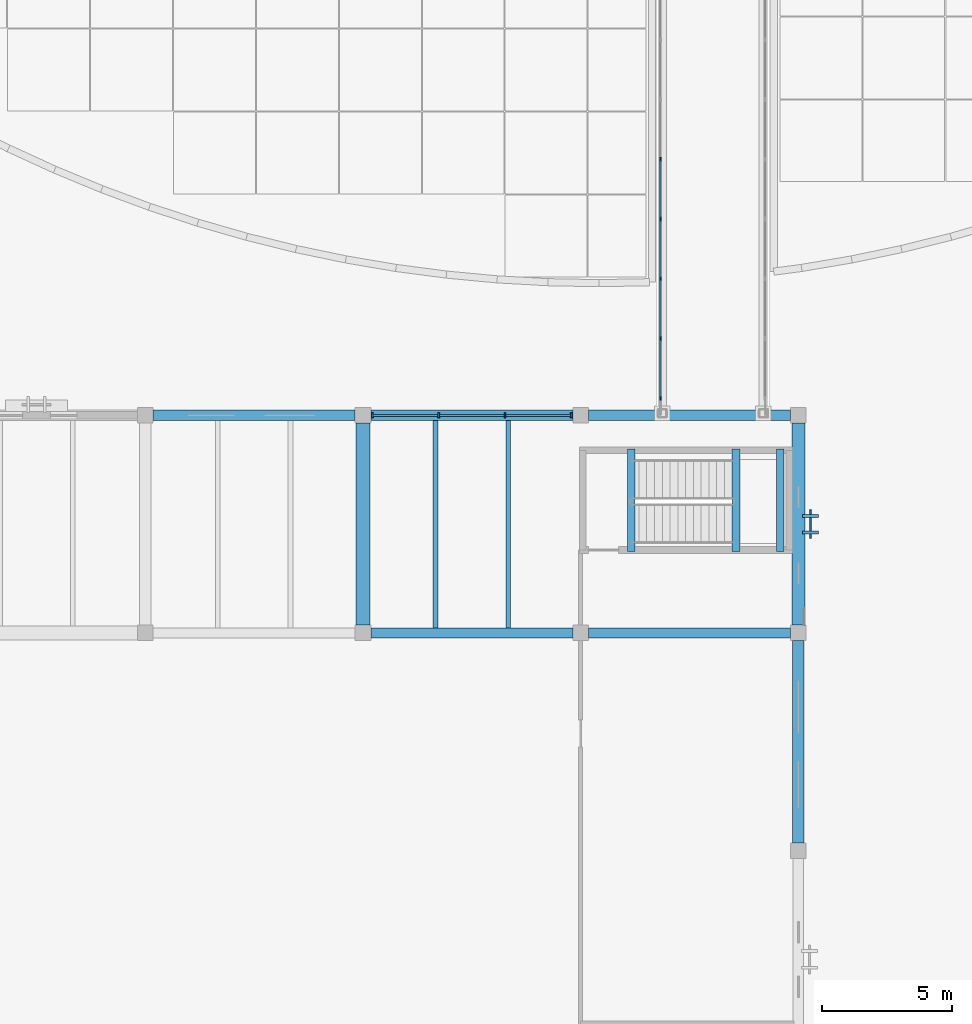
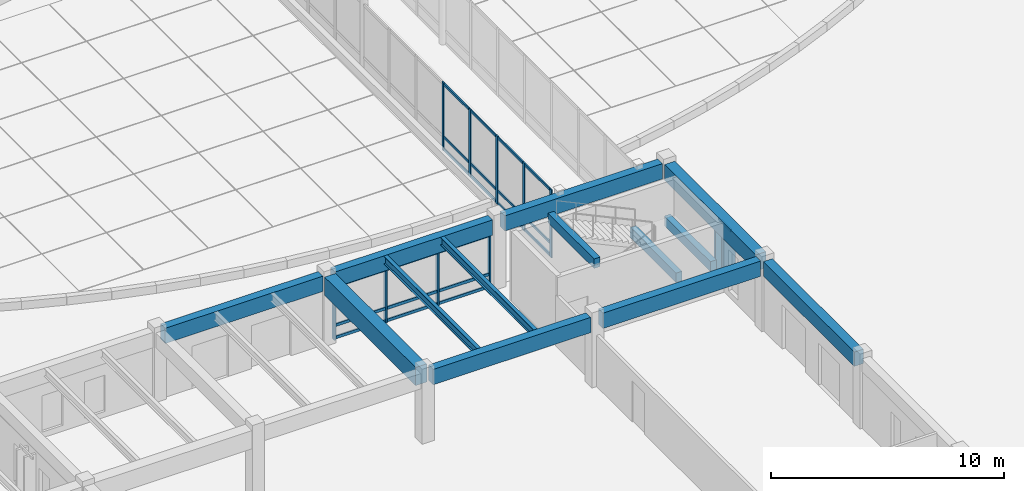
# One storey, part 34 of 135: 33 members, 13 beams, 3 elements without a shape of their own.
"""IFC4 building model written with IfcOpenShell, lengths in metres."""

from ifc_helpers import new_model, si_unit, direction, frame, origin, origin_2d, place, context, subcontext, project, spatial, rectangle, i_section, extrude, material, material_profile, profile_set, type_object, element, aggregate, save


model = new_model("IFC4")

# Units and contexts
model_context = context("Model", 3, precision=1e-05, world=origin(), true_north=direction((0.0, 1.0)))
body_context = subcontext(model_context, "Body", "Model", "MODEL_VIEW")
ifc_project = project(units=[si_unit("LENGTHUNIT", "METRE"), si_unit("AREAUNIT", "SQUARE_METRE"), si_unit("VOLUMEUNIT", "CUBIC_METRE"), si_unit("PLANEANGLEUNIT", "RADIAN"), si_unit("MASSUNIT", "GRAM", prefix="KILO")], contexts=[model_context])

# Site, building, storey
site_placement = place(None, origin())
site = spatial("IfcSite", under=ifc_project, at=site_placement, CompositionType="ELEMENT")
building_placement = place(site_placement, origin())
building = spatial("IfcBuilding", under=site, at=building_placement, Name="Cumbredor Promenade Congress Hotel", CompositionType="ELEMENT")
storey_placement = place(building_placement, origin())
storey = spatial("IfcBuildingStorey", under=building, at=storey_placement, Name="L00", CompositionType="ELEMENT", Elevation=0.0)

# Beams
ifc_material_1 = material(Name="Concrete C40/50", Category="concrete")
ifc_material_profile_1 = material_profile(ifc_material_1, rectangle(XDim=0.449951171875, YDim=0.75, at=origin_2d()), Name="RC BEAM 450x750")
ifc_profile_set_1 = profile_set([ifc_material_profile_1], Name="Concrete C40/50")
beam_type_1 = type_object("IfcBeamType", Name="BM-RC-450x750", PredefinedType="BEAM", material=ifc_profile_set_1)
beam_1_placement = place(storey_placement, frame((109.199951171875, 33.89990234375, 3.264892578125), z_axis=(0.0, 1.0, 0.0), x_axis=(-1.0, 0.0, 0.0)))
element("IfcBeam", 1, at=beam_1_placement, inside=storey, type_object=beam_type_1, Name="L01 Y-Grid Beam 191", PredefinedType="BEAM", context=body_context, shape_type="SweptSolid", body=[
    extrude(rectangle(XDim=0.449951171875, YDim=0.75, at=origin_2d()), origin(), (0.0, 0.0, 1.0), 7.800048828125),
])
ifc_material_profile_2 = material_profile(ifc_material_1, rectangle(XDim=0.5, YDim=0.85009765625, at=origin_2d()), Name="RC BEAM 500x850")
ifc_profile_set_2 = profile_set([ifc_material_profile_2], Name="Concrete C40/50")
beam_type_2 = type_object("IfcBeamType", Name="BM-RC-500x850", PredefinedType="BEAM", material=ifc_profile_set_2)
beam_2_placement = place(storey_placement, frame((109.199951171875, 42.300048828125, 3.215087890625), z_axis=(0.0, 1.0, 0.0), x_axis=(-1.0, 0.0, 0.0)))
element("IfcBeam", 2, at=beam_2_placement, inside=storey, type_object=beam_type_2, Name="L01 Y-Grid Beam 192", PredefinedType="BEAM", context=body_context, shape_type="SweptSolid", body=[
    extrude(rectangle(XDim=0.5, YDim=0.85009765625, at=origin_2d()), origin(), (0.0, 0.0, 1.0), 7.800048828125),
])
ifc_material_profile_3 = material_profile(ifc_material_1, rectangle(XDim=0.550048828125, YDim=0.949951171875, at=origin_2d()), Name="RC BEAM 550x950")
ifc_profile_set_3 = profile_set([ifc_material_profile_3], Name="Concrete C40/50")
beam_type_3 = type_object("IfcBeamType", Name="BM-RC-550x950", PredefinedType="BEAM", material=ifc_profile_set_3)
beam_3_placement = place(storey_placement, frame((92.39990234375, 42.300048828125, 3.1650390625), z_axis=(0.0, 1.0, 0.0), x_axis=(-1.0, 0.0, 0.0)))
element("IfcBeam", 3, at=beam_3_placement, inside=storey, type_object=beam_type_3, Name="L01 Y-Grid Beam 165", PredefinedType="BEAM", context=body_context, shape_type="SweptSolid", body=[
    extrude(rectangle(XDim=0.550048828125, YDim=0.949951171875, at=origin_2d()), origin(), (0.0, 0.0, 1.0), 7.800048828125),
])

# Curtain wall, members
ifc_material_2 = material(Name="Thermally broken anodized aluminium and low-E glass", Category="aluminium")
curtain_wall_type_1 = type_object("IfcCurtainWallType", Name="Unitised Bridge Glazing Screen CW-05", PredefinedType="NOTDEFINED", material=ifc_material_2)
curtain_wall_1_placement = place(storey_placement, origin())
curtain_wall_1 = element("IfcCurtainWall", 4, at=curtain_wall_1_placement, inside=storey, type_object=curtain_wall_type_1, Name="L00 Central Reflecting-Pool Promenade Bridge West Glazing Screen", PredefinedType="NOTDEFINED")
ifc_material_3 = material(Name="Thermally broken anodized aluminium", Category="aluminium")
ifc_material_profile_4 = material_profile(ifc_material_3, rectangle(XDim=0.06494140625, YDim=0.159912109375, at=origin_2d()), Name="ALU MULLION 65x160")
ifc_profile_set_4 = profile_set([ifc_material_profile_4], Name="Thermally broken anodized aluminium")
member_type_1 = type_object("IfcMemberType", Name="Curtain Wall Mullion ML-01", PredefinedType="MULLION", material=ifc_profile_set_4)
member_1_placement = place(storey_placement, frame((103.8798828125, 51.06005859375, -0.008056640625), z_axis=(0.0, 0.0, 1.0), x_axis=(1.0, 0.0, 0.0)))
member_1 = element("IfcMember", 5, at=member_1_placement, type_object=member_type_1, Name="L00 Central Reflecting-Pool Promenade Bridge West Glazing Screen Mullion 1", PredefinedType="MULLION", context=body_context, shape_type="SweptSolid", body=[
    extrude(rectangle(XDim=0.06494140625, YDim=0.159912109375, at=origin_2d()), origin(), (0.0, 0.0, 1.0), 3.55615234375),
])
member_2_placement = place(storey_placement, frame((103.8798828125, 53.36572265625, -0.008056640625), z_axis=(0.0, 0.0, 1.0), x_axis=(1.0, 0.0, 0.0)))
member_2 = element("IfcMember", 6, at=member_2_placement, type_object=member_type_1, Name="L00 Central Reflecting-Pool Promenade Bridge West Glazing Screen Mullion 2", PredefinedType="MULLION", context=body_context, shape_type="SweptSolid", body=[
    extrude(rectangle(XDim=0.06494140625, YDim=0.159912109375, at=origin_2d()), origin(), (0.0, 0.0, 1.0), 3.55615234375),
])
member_3_placement = place(storey_placement, frame((103.8798828125, 55.67138671875, -0.008056640625), z_axis=(0.0, 0.0, 1.0), x_axis=(1.0, 0.0, 0.0)))
member_3 = element("IfcMember", 7, at=member_3_placement, type_object=member_type_1, Name="L00 Central Reflecting-Pool Promenade Bridge West Glazing Screen Mullion 3", PredefinedType="MULLION", context=body_context, shape_type="SweptSolid", body=[
    extrude(rectangle(XDim=0.06494140625, YDim=0.159912109375, at=origin_2d()), origin(), (0.0, 0.0, 1.0), 3.55615234375),
])
member_4_placement = place(storey_placement, frame((103.8798828125, 57.97705078125, -0.008056640625), z_axis=(0.0, 0.0, 1.0), x_axis=(1.0, 0.0, 0.0)))
member_4 = element("IfcMember", 8, at=member_4_placement, type_object=member_type_1, Name="L00 Central Reflecting-Pool Promenade Bridge West Glazing Screen Mullion 4", PredefinedType="MULLION", context=body_context, shape_type="SweptSolid", body=[
    extrude(rectangle(XDim=0.06494140625, YDim=0.159912109375, at=origin_2d()), origin(), (0.0, 0.0, 1.0), 3.55615234375),
])
member_5_placement = place(storey_placement, frame((103.8798828125, 60.282958984375, -0.008056640625), z_axis=(0.0, 0.0, 1.0), x_axis=(1.0, 0.0, 0.0)))
member_5 = element("IfcMember", 9, at=member_5_placement, type_object=member_type_1, Name="L00 Central Reflecting-Pool Promenade Bridge West Glazing Screen Mullion 5", PredefinedType="MULLION", context=body_context, shape_type="SweptSolid", body=[
    extrude(rectangle(XDim=0.06494140625, YDim=0.159912109375, at=origin_2d()), origin(), (0.0, 0.0, 1.0), 3.55615234375),
])

curtain_wall_type_2 = type_object("IfcCurtainWallType", Name="Unitised Grand Foyer Curtain Wall CW-04", PredefinedType="NOTDEFINED", material=ifc_material_2)
curtain_wall_2_placement = place(storey_placement, origin())
curtain_wall_2 = element("IfcCurtainWall", 10, at=curtain_wall_2_placement, inside=storey, type_object=curtain_wall_type_2, Name="L00 Thermal Spa and Hydrotherapy Pavilion North Curtain Wall 3", PredefinedType="NOTDEFINED")
ifc_material_profile_5 = material_profile(ifc_material_3, rectangle(XDim=0.074951171875, YDim=0.199951171875, at=origin_2d()), Name="ALU MULLION 75x200")
ifc_profile_set_5 = profile_set([ifc_material_profile_5], Name="Thermally broken anodized aluminium")
member_type_2 = type_object("IfcMemberType", Name="Curtain Wall Mullion ML-02", PredefinedType="MULLION", material=ifc_profile_set_5)
member_6_placement = place(storey_placement, frame((92.7548828125, 50.39990234375, -0.008056640625), z_axis=(0.0, 0.0, 1.0), x_axis=(1.0, 0.0, 0.0)))
member_6 = element("IfcMember", 11, at=member_6_placement, type_object=member_type_2, Name="L00 Thermal Spa and Hydrotherapy Pavilion North Curtain Wall 3 Mullion 1", PredefinedType="MULLION", context=body_context, shape_type="SweptSolid", body=[
    extrude(rectangle(XDim=0.074951171875, YDim=0.199951171875, at=origin_2d()), origin(), (0.0, 0.0, 1.0), 2.841064453125),
])
member_7_placement = place(storey_placement, frame((95.318359375, 50.39990234375, -0.008056640625), z_axis=(0.0, 0.0, 1.0), x_axis=(1.0, 0.0, 0.0)))
member_7 = element("IfcMember", 12, at=member_7_placement, type_object=member_type_2, Name="L00 Thermal Spa and Hydrotherapy Pavilion North Curtain Wall 3 Mullion 2", PredefinedType="MULLION", context=body_context, shape_type="SweptSolid", body=[
    extrude(rectangle(XDim=0.074951171875, YDim=0.199951171875, at=origin_2d()), origin(), (0.0, 0.0, 1.0), 2.841064453125),
])
member_8_placement = place(storey_placement, frame((97.881591796875, 50.39990234375, -0.008056640625), z_axis=(0.0, 0.0, 1.0), x_axis=(1.0, 0.0, 0.0)))
member_8 = element("IfcMember", 13, at=member_8_placement, type_object=member_type_2, Name="L00 Thermal Spa and Hydrotherapy Pavilion North Curtain Wall 3 Mullion 3", PredefinedType="MULLION", context=body_context, shape_type="SweptSolid", body=[
    extrude(rectangle(XDim=0.074951171875, YDim=0.199951171875, at=origin_2d()), origin(), (0.0, 0.0, 1.0), 2.841064453125),
])
member_9_placement = place(storey_placement, frame((100.445068359375, 50.39990234375, -0.008056640625), z_axis=(0.0, 0.0, 1.0), x_axis=(1.0, 0.0, 0.0)))
member_9 = element("IfcMember", 14, at=member_9_placement, type_object=member_type_2, Name="L00 Thermal Spa and Hydrotherapy Pavilion North Curtain Wall 3 Mullion 4", PredefinedType="MULLION", context=body_context, shape_type="SweptSolid", body=[
    extrude(rectangle(XDim=0.074951171875, YDim=0.199951171875, at=origin_2d()), origin(), (0.0, 0.0, 1.0), 2.841064453125),
])

# Curtain wall, member
curtain_wall_type_3 = type_object("IfcCurtainWallType", Name="Solar Brise-Soleil Screen Assembly CW-07", PredefinedType="NOTDEFINED", material=ifc_material_2)
curtain_wall_3_placement = place(storey_placement, origin())
curtain_wall_3 = element("IfcCurtainWall", 15, at=curtain_wall_3_placement, inside=storey, type_object=curtain_wall_type_3, Name="L00 Pier Brise-Soleil Screen 0052", PredefinedType="NOTDEFINED")
ifc_material_profile_6 = material_profile(ifc_material_3, rectangle(XDim=0.06494140625, YDim=0.1298828125, at=origin_2d()), Name="ALU TRANSOM 65x130")
ifc_profile_set_6 = profile_set([ifc_material_profile_6], Name="Thermally broken anodized aluminium")
member_type_3 = type_object("IfcMemberType", Name="Curtain Wall Transom TR-01", PredefinedType="USERDEFINED", material=ifc_profile_set_6)
member_10_placement = place(storey_placement, frame((109.672607421875, 45.64990234375, 2.614990234375), z_axis=(0.0, 1.0, 0.0), x_axis=(-1.0, 0.0, 0.0)))
member_10 = element("IfcMember", 16, at=member_10_placement, type_object=member_type_3, Name="L00 Pier Brise-Soleil Header 0054", ObjectType="TRANSOM", PredefinedType="USERDEFINED", context=body_context, shape_type="SweptSolid", body=[
    extrude(rectangle(XDim=0.06494140625, YDim=0.1298828125, at=origin_2d()), origin(), (0.0, 0.0, 1.0), 1.10009765625),
])

# Member
member_11_placement = place(storey_placement, frame((103.8798828125, 51.092529296875, 0.070068359375), z_axis=(0.0, 1.0, 0.0), x_axis=(-1.0, 0.0, 0.0)))
member_11 = element("IfcMember", 17, at=member_11_placement, type_object=member_type_3, Name="L00 Central Reflecting-Pool Promenade Bridge West Glazing Screen Transom 1.1", ObjectType="TRANSOM", PredefinedType="USERDEFINED", context=body_context, shape_type="SweptSolid", body=[
    extrude(rectangle(XDim=0.06494140625, YDim=0.1298828125, at=origin_2d()), origin(), (0.0, 0.0, 1.0), 2.24072265625),
])

member_12_placement = place(storey_placement, frame((103.8798828125, 51.092529296875, 0.719970703125), z_axis=(0.0, 1.0, 0.0), x_axis=(-1.0, 0.0, 0.0)))
member_12 = element("IfcMember", 18, at=member_12_placement, type_object=member_type_3, Name="L00 Central Reflecting-Pool Promenade Bridge West Glazing Screen Transom 1.2", ObjectType="TRANSOM", PredefinedType="USERDEFINED", context=body_context, shape_type="SweptSolid", body=[
    extrude(rectangle(XDim=0.06494140625, YDim=0.1298828125, at=origin_2d()), origin(), (0.0, 0.0, 1.0), 2.24072265625),
])

member_13_placement = place(storey_placement, frame((103.8798828125, 51.092529296875, 3.47998046875), z_axis=(0.0, 1.0, 0.0), x_axis=(-1.0, 0.0, 0.0)))
member_13 = element("IfcMember", 19, at=member_13_placement, type_object=member_type_3, Name="L00 Central Reflecting-Pool Promenade Bridge West Glazing Screen Transom 1.3", ObjectType="TRANSOM", PredefinedType="USERDEFINED", context=body_context, shape_type="SweptSolid", body=[
    extrude(rectangle(XDim=0.06494140625, YDim=0.1298828125, at=origin_2d()), origin(), (0.0, 0.0, 1.0), 2.24072265625),
])

member_14_placement = place(storey_placement, frame((103.8798828125, 53.398193359375, 0.070068359375), z_axis=(0.0, 1.0, 0.0), x_axis=(-1.0, 0.0, 0.0)))
member_14 = element("IfcMember", 20, at=member_14_placement, type_object=member_type_3, Name="L00 Central Reflecting-Pool Promenade Bridge West Glazing Screen Transom 2.1", ObjectType="TRANSOM", PredefinedType="USERDEFINED", context=body_context, shape_type="SweptSolid", body=[
    extrude(rectangle(XDim=0.06494140625, YDim=0.1298828125, at=origin_2d()), origin(), (0.0, 0.0, 1.0), 2.24072265625),
])

member_15_placement = place(storey_placement, frame((103.8798828125, 53.398193359375, 0.719970703125), z_axis=(0.0, 1.0, 0.0), x_axis=(-1.0, 0.0, 0.0)))
member_15 = element("IfcMember", 21, at=member_15_placement, type_object=member_type_3, Name="L00 Central Reflecting-Pool Promenade Bridge West Glazing Screen Transom 2.2", ObjectType="TRANSOM", PredefinedType="USERDEFINED", context=body_context, shape_type="SweptSolid", body=[
    extrude(rectangle(XDim=0.06494140625, YDim=0.1298828125, at=origin_2d()), origin(), (0.0, 0.0, 1.0), 2.24072265625),
])

member_16_placement = place(storey_placement, frame((103.8798828125, 53.398193359375, 3.47998046875), z_axis=(0.0, 1.0, 0.0), x_axis=(-1.0, 0.0, 0.0)))
member_16 = element("IfcMember", 22, at=member_16_placement, type_object=member_type_3, Name="L00 Central Reflecting-Pool Promenade Bridge West Glazing Screen Transom 2.3", ObjectType="TRANSOM", PredefinedType="USERDEFINED", context=body_context, shape_type="SweptSolid", body=[
    extrude(rectangle(XDim=0.06494140625, YDim=0.1298828125, at=origin_2d()), origin(), (0.0, 0.0, 1.0), 2.24072265625),
])

member_17_placement = place(storey_placement, frame((103.8798828125, 55.703857421875, 0.070068359375), z_axis=(0.0, 1.0, 0.0), x_axis=(-1.0, 0.0, 0.0)))
member_17 = element("IfcMember", 23, at=member_17_placement, type_object=member_type_3, Name="L00 Central Reflecting-Pool Promenade Bridge West Glazing Screen Transom 3.1", ObjectType="TRANSOM", PredefinedType="USERDEFINED", context=body_context, shape_type="SweptSolid", body=[
    extrude(rectangle(XDim=0.06494140625, YDim=0.1298828125, at=origin_2d()), origin(), (0.0, 0.0, 1.0), 2.24072265625),
])

member_18_placement = place(storey_placement, frame((103.8798828125, 55.703857421875, 0.719970703125), z_axis=(0.0, 1.0, 0.0), x_axis=(-1.0, 0.0, 0.0)))
member_18 = element("IfcMember", 24, at=member_18_placement, type_object=member_type_3, Name="L00 Central Reflecting-Pool Promenade Bridge West Glazing Screen Transom 3.2", ObjectType="TRANSOM", PredefinedType="USERDEFINED", context=body_context, shape_type="SweptSolid", body=[
    extrude(rectangle(XDim=0.06494140625, YDim=0.1298828125, at=origin_2d()), origin(), (0.0, 0.0, 1.0), 2.24072265625),
])

member_19_placement = place(storey_placement, frame((103.8798828125, 55.703857421875, 3.47998046875), z_axis=(0.0, 1.0, 0.0), x_axis=(-1.0, 0.0, 0.0)))
member_19 = element("IfcMember", 25, at=member_19_placement, type_object=member_type_3, Name="L00 Central Reflecting-Pool Promenade Bridge West Glazing Screen Transom 3.3", ObjectType="TRANSOM", PredefinedType="USERDEFINED", context=body_context, shape_type="SweptSolid", body=[
    extrude(rectangle(XDim=0.06494140625, YDim=0.1298828125, at=origin_2d()), origin(), (0.0, 0.0, 1.0), 2.24072265625),
])

member_20_placement = place(storey_placement, frame((103.8798828125, 58.009521484375, 0.070068359375), z_axis=(0.0, 1.0, 0.0), x_axis=(-1.0, 0.0, 0.0)))
member_20 = element("IfcMember", 26, at=member_20_placement, type_object=member_type_3, Name="L00 Central Reflecting-Pool Promenade Bridge West Glazing Screen Transom 4.1", ObjectType="TRANSOM", PredefinedType="USERDEFINED", context=body_context, shape_type="SweptSolid", body=[
    extrude(rectangle(XDim=0.06494140625, YDim=0.1298828125, at=origin_2d()), origin(), (0.0, 0.0, 1.0), 2.240966796875),
])

member_21_placement = place(storey_placement, frame((103.8798828125, 58.009521484375, 0.719970703125), z_axis=(0.0, 1.0, 0.0), x_axis=(-1.0, 0.0, 0.0)))
member_21 = element("IfcMember", 27, at=member_21_placement, type_object=member_type_3, Name="L00 Central Reflecting-Pool Promenade Bridge West Glazing Screen Transom 4.2", ObjectType="TRANSOM", PredefinedType="USERDEFINED", context=body_context, shape_type="SweptSolid", body=[
    extrude(rectangle(XDim=0.06494140625, YDim=0.1298828125, at=origin_2d()), origin(), (0.0, 0.0, 1.0), 2.240966796875),
])

member_22_placement = place(storey_placement, frame((103.8798828125, 58.009521484375, 3.47998046875), z_axis=(0.0, 1.0, 0.0), x_axis=(-1.0, 0.0, 0.0)))
member_22 = element("IfcMember", 28, at=member_22_placement, type_object=member_type_3, Name="L00 Central Reflecting-Pool Promenade Bridge West Glazing Screen Transom 4.3", ObjectType="TRANSOM", PredefinedType="USERDEFINED", context=body_context, shape_type="SweptSolid", body=[
    extrude(rectangle(XDim=0.06494140625, YDim=0.1298828125, at=origin_2d()), origin(), (0.0, 0.0, 1.0), 2.240966796875),
])

aggregate(curtain_wall_1, [member_1, member_2, member_3, member_4, member_5, member_11, member_12, member_13, member_14, member_15, member_16, member_17, member_18, member_19, member_20, member_21, member_22])

ifc_material_profile_7 = material_profile(ifc_material_3, rectangle(XDim=0.074951171875, YDim=0.14990234375, at=origin_2d()), Name="ALU TRANSOM 75x150")
ifc_profile_set_7 = profile_set([ifc_material_profile_7], Name="Thermally broken anodized aluminium")
member_type_4 = type_object("IfcMemberType", Name="Curtain Wall Transom TR-02", PredefinedType="USERDEFINED", material=ifc_profile_set_7)
member_23_placement = place(storey_placement, frame((92.79248046875, 50.39990234375, 0.070068359375), z_axis=(1.0, 0.0, 0.0), x_axis=(0.0, 1.0, 0.0)))
member_23 = element("IfcMember", 29, at=member_23_placement, type_object=member_type_4, Name="L00 Thermal Spa and Hydrotherapy Pavilion North Curtain Wall 3 Transom 1.1", ObjectType="TRANSOM", PredefinedType="USERDEFINED", context=body_context, shape_type="SweptSolid", body=[
    extrude(rectangle(XDim=0.074951171875, YDim=0.14990234375, at=origin_2d()), origin(), (0.0, 0.0, 1.0), 2.48828125),
])

member_24_placement = place(storey_placement, frame((92.79248046875, 50.39990234375, 0.719970703125), z_axis=(1.0, 0.0, 0.0), x_axis=(0.0, 1.0, 0.0)))
member_24 = element("IfcMember", 30, at=member_24_placement, type_object=member_type_4, Name="L00 Thermal Spa and Hydrotherapy Pavilion North Curtain Wall 3 Transom 1.2", ObjectType="TRANSOM", PredefinedType="USERDEFINED", context=body_context, shape_type="SweptSolid", body=[
    extrude(rectangle(XDim=0.074951171875, YDim=0.14990234375, at=origin_2d()), origin(), (0.0, 0.0, 1.0), 2.48828125),
])

member_25_placement = place(storey_placement, frame((92.79248046875, 50.39990234375, 2.75), z_axis=(1.0, 0.0, 0.0), x_axis=(0.0, 1.0, 0.0)))
member_25 = element("IfcMember", 31, at=member_25_placement, type_object=member_type_4, Name="L00 Thermal Spa and Hydrotherapy Pavilion North Curtain Wall 3 Transom 1.3", ObjectType="TRANSOM", PredefinedType="USERDEFINED", context=body_context, shape_type="SweptSolid", body=[
    extrude(rectangle(XDim=0.074951171875, YDim=0.14990234375, at=origin_2d()), origin(), (0.0, 0.0, 1.0), 2.48828125),
])

member_26_placement = place(storey_placement, frame((95.355712890625, 50.39990234375, 0.070068359375), z_axis=(1.0, 0.0, 0.0), x_axis=(0.0, 1.0, 0.0)))
member_26 = element("IfcMember", 32, at=member_26_placement, type_object=member_type_4, Name="L00 Thermal Spa and Hydrotherapy Pavilion North Curtain Wall 3 Transom 2.1", ObjectType="TRANSOM", PredefinedType="USERDEFINED", context=body_context, shape_type="SweptSolid", body=[
    extrude(rectangle(XDim=0.074951171875, YDim=0.14990234375, at=origin_2d()), origin(), (0.0, 0.0, 1.0), 2.488525390625),
])

member_27_placement = place(storey_placement, frame((95.355712890625, 50.39990234375, 0.719970703125), z_axis=(1.0, 0.0, 0.0), x_axis=(0.0, 1.0, 0.0)))
member_27 = element("IfcMember", 33, at=member_27_placement, type_object=member_type_4, Name="L00 Thermal Spa and Hydrotherapy Pavilion North Curtain Wall 3 Transom 2.2", ObjectType="TRANSOM", PredefinedType="USERDEFINED", context=body_context, shape_type="SweptSolid", body=[
    extrude(rectangle(XDim=0.074951171875, YDim=0.14990234375, at=origin_2d()), origin(), (0.0, 0.0, 1.0), 2.488525390625),
])

member_28_placement = place(storey_placement, frame((95.355712890625, 50.39990234375, 2.75), z_axis=(1.0, 0.0, 0.0), x_axis=(0.0, 1.0, 0.0)))
member_28 = element("IfcMember", 34, at=member_28_placement, type_object=member_type_4, Name="L00 Thermal Spa and Hydrotherapy Pavilion North Curtain Wall 3 Transom 2.3", ObjectType="TRANSOM", PredefinedType="USERDEFINED", context=body_context, shape_type="SweptSolid", body=[
    extrude(rectangle(XDim=0.074951171875, YDim=0.14990234375, at=origin_2d()), origin(), (0.0, 0.0, 1.0), 2.488525390625),
])

member_29_placement = place(storey_placement, frame((97.919189453125, 50.39990234375, 0.070068359375), z_axis=(1.0, 0.0, 0.0), x_axis=(0.0, 1.0, 0.0)))
member_29 = element("IfcMember", 35, at=member_29_placement, type_object=member_type_4, Name="L00 Thermal Spa and Hydrotherapy Pavilion North Curtain Wall 3 Transom 3.1", ObjectType="TRANSOM", PredefinedType="USERDEFINED", context=body_context, shape_type="SweptSolid", body=[
    extrude(rectangle(XDim=0.074951171875, YDim=0.14990234375, at=origin_2d()), origin(), (0.0, 0.0, 1.0), 2.48828125),
])

member_30_placement = place(storey_placement, frame((97.919189453125, 50.39990234375, 0.719970703125), z_axis=(1.0, 0.0, 0.0), x_axis=(0.0, 1.0, 0.0)))
member_30 = element("IfcMember", 36, at=member_30_placement, type_object=member_type_4, Name="L00 Thermal Spa and Hydrotherapy Pavilion North Curtain Wall 3 Transom 3.2", ObjectType="TRANSOM", PredefinedType="USERDEFINED", context=body_context, shape_type="SweptSolid", body=[
    extrude(rectangle(XDim=0.074951171875, YDim=0.14990234375, at=origin_2d()), origin(), (0.0, 0.0, 1.0), 2.48828125),
])

member_31_placement = place(storey_placement, frame((97.919189453125, 50.39990234375, 2.75), z_axis=(1.0, 0.0, 0.0), x_axis=(0.0, 1.0, 0.0)))
member_31 = element("IfcMember", 37, at=member_31_placement, type_object=member_type_4, Name="L00 Thermal Spa and Hydrotherapy Pavilion North Curtain Wall 3 Transom 3.3", ObjectType="TRANSOM", PredefinedType="USERDEFINED", context=body_context, shape_type="SweptSolid", body=[
    extrude(rectangle(XDim=0.074951171875, YDim=0.14990234375, at=origin_2d()), origin(), (0.0, 0.0, 1.0), 2.48828125),
])

aggregate(curtain_wall_2, [member_6, member_7, member_8, member_9, member_23, member_24, member_25, member_26, member_27, member_28, member_29, member_30, member_31])

# Beams
ifc_material_4 = material(Name="Steel ASTM A992 Grade 50", Category="steel")
ifc_material_profile_8 = material_profile(ifc_material_4, i_section(OverallWidth=0.180908203125, OverallDepth=0.4169921875, WebThickness=0.010986328125, FlangeThickness=0.018310546875, at=origin_2d()), Name="W16X57")
ifc_profile_set_8 = profile_set([ifc_material_profile_8], Name="Steel ASTM A992 Grade 50")
beam_type_4 = type_object("IfcBeamType", Name="JST-W16X57", PredefinedType="JOIST", material=ifc_profile_set_8)
for number, where, z_axis, x_axis, name in (
    (38, (95.199951171875, 42.199951171875, 3.431396484375), (0.0, 1.0, 0.0), (-1.0, 0.0, 0.0), "L01 Secondary Floor Joist 0100"),
    (39, (98.0, 42.199951171875, 3.431396484375), (0.0, 1.0, 0.0), (-1.0, 0.0, 0.0), "L01 Secondary Floor Joist 0101"),
):
    element("IfcBeam", number, at=place(storey_placement, frame(where, z_axis=z_axis, x_axis=x_axis)), inside=storey, type_object=beam_type_4, Name=name, PredefinedType="JOIST", context=body_context, shape_type="SweptSolid", body=[
        extrude(i_section(OverallWidth=0.180908203125, OverallDepth=0.4169921875, WebThickness=0.010986328125, FlangeThickness=0.018310546875, at=origin_2d()), origin(), (0.0, 0.0, 1.0), 8.0),
    ])
ifc_material_profile_9 = material_profile(ifc_material_1, rectangle(XDim=0.300048828125, YDim=0.5, at=origin_2d()), Name="RC LINTEL 300x500")
ifc_profile_set_9 = profile_set([ifc_material_profile_9], Name="Concrete C40/50")
beam_type_5 = type_object("IfcBeamType", Name="LN-RC-300x500", PredefinedType="LINTEL", material=ifc_profile_set_9)
for number, where, z_axis, x_axis, name in (
    (40, (108.5, 45.14990234375, 1.510009765625), (0.0, 1.0, 0.0), (-1.0, 0.0, 0.0), "L00 Stair ST-12 Landing Ledger Beam E"),
    (41, (106.800048828125, 45.14990234375, 1.510009765625), (0.0, 1.0, 0.0), (-1.0, 0.0, 0.0), "L00 Stair ST-12 Landing Ledger Beam W"),
    (42, (102.75, 45.14990234375, 3.669921875), (0.0, 1.0, 0.0), (-1.0, 0.0, 0.0), "L01 Stair ST-12 Well Header Trimmer Beam"),
):
    element("IfcBeam", number, at=place(storey_placement, frame(where, z_axis=z_axis, x_axis=x_axis)), inside=storey, type_object=beam_type_5, Name=name, PredefinedType="LINTEL", context=body_context, shape_type="SweptSolid", body=[
        extrude(rectangle(XDim=0.300048828125, YDim=0.5, at=origin_2d()), origin(), (0.0, 0.0, 1.0), 3.9501953125),
    ])
ifc_material_profile_10 = material_profile(ifc_material_1, rectangle(XDim=0.39990234375, YDim=0.800048828125, at=origin_2d()), Name="RC SPANDREL 400x800")
ifc_profile_set_10 = profile_set([ifc_material_profile_10], Name="Concrete C40/50")
beam_type_6 = type_object("IfcBeamType", Name="SP-RC-400x800", PredefinedType="SPANDREL", material=ifc_profile_set_10)
for number, where, z_axis, x_axis, name in (
    (43, (84.300048828125, 50.39990234375, 3.239990234375), (1.0, 0.0, 0.0), (0.0, 1.0, 0.0), "L01 X-Grid Beam 152"),
    (44, (92.699951171875, 42.0, 3.239990234375), (1.0, 0.0, 0.0), (0.0, 1.0, 0.0), "L01 X-Grid Beam 164"),
    (45, (92.699951171875, 50.39990234375, 3.239990234375), (1.0, 0.0, 0.0), (0.0, 1.0, 0.0), "L01 X-Grid Beam 166"),
):
    element("IfcBeam", number, at=place(storey_placement, frame(where, z_axis=z_axis, x_axis=x_axis)), inside=storey, type_object=beam_type_6, Name=name, PredefinedType="SPANDREL", context=body_context, shape_type="SweptSolid", body=[
        extrude(rectangle(XDim=0.39990234375, YDim=0.800048828125, at=origin_2d()), origin(), (0.0, 0.0, 1.0), 7.800048828125),
    ])
for number, where, z_axis, x_axis, name in (
    (46, (101.10009765625, 42.0, 3.239990234375), (1.0, 0.0, 0.0), (0.0, 1.0, 0.0), "L01 X-Grid Beam 179"),
    (47, (101.10009765625, 50.39990234375, 3.239990234375), (1.0, 0.0, 0.0), (0.0, 1.0, 0.0), "L01 X-Grid Beam 180"),
):
    element("IfcBeam", number, at=place(storey_placement, frame(where, z_axis=z_axis, x_axis=x_axis)), inside=storey, type_object=beam_type_6, Name=name, PredefinedType="SPANDREL", context=body_context, shape_type="SweptSolid", body=[
        extrude(rectangle(XDim=0.39990234375, YDim=0.800048828125, at=origin_2d()), origin(), (0.0, 0.0, 1.0), 7.7998046875),
    ])

# Member
ifc_material_profile_11 = material_profile(ifc_material_3, rectangle(XDim=0.110107421875, YDim=0.6201171875, at=origin_2d()), Name="ARCH FIN 110x620")
ifc_profile_set_11 = profile_set([ifc_material_profile_11], Name="Thermally broken anodized aluminium")
member_type_5 = type_object("IfcMemberType", Name="Vertical Bronze Brise-Soleil Fin BSF-02 110x620", PredefinedType="USERDEFINED", material=ifc_profile_set_11)
member_32_placement = place(storey_placement, frame((109.672607421875, 45.8798828125, 0.02001953125), z_axis=(0.0, 0.0, 1.0), x_axis=(0.0, 1.0, 0.0)))
member_32 = element("IfcMember", 48, at=member_32_placement, type_object=member_type_5, Name="L00 Pier Brise-Soleil Fin 0053", ObjectType="SOLAR FIN", PredefinedType="USERDEFINED", context=body_context, shape_type="SweptSolid", body=[
    extrude(rectangle(XDim=0.110107421875, YDim=0.6201171875, at=origin_2d()), origin(), (0.0, 0.0, 1.0), 2.635009765625),
])

member_33_placement = place(storey_placement, frame((109.672607421875, 46.52001953125, 0.02001953125), z_axis=(0.0, 0.0, 1.0), x_axis=(0.0, 1.0, 0.0)))
member_33 = element("IfcMember", 49, at=member_33_placement, type_object=member_type_5, Name="L00 Pier Brise-Soleil Fin 0054", ObjectType="SOLAR FIN", PredefinedType="USERDEFINED", context=body_context, shape_type="SweptSolid", body=[
    extrude(rectangle(XDim=0.110107421875, YDim=0.6201171875, at=origin_2d()), origin(), (0.0, 0.0, 1.0), 2.635009765625),
])

aggregate(curtain_wall_3, [member_32, member_33, member_10])

save(model, "model.ifc")
